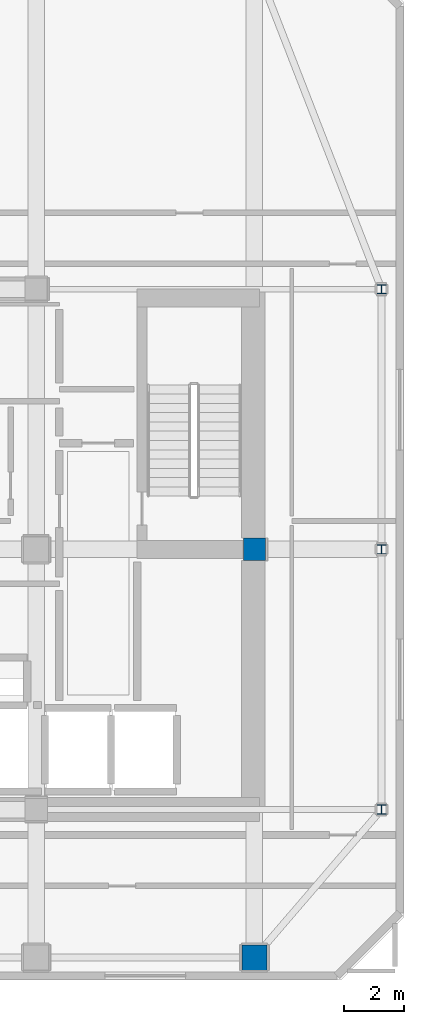
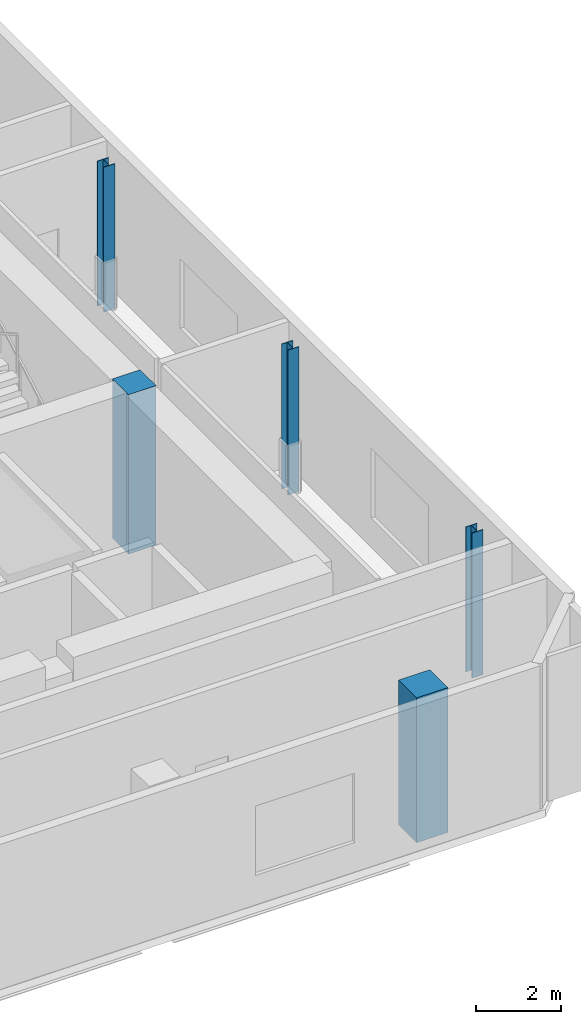
# One storey, part 2 of 9: 5 columns.
"""IFC4 building model written with IfcOpenShell, lengths in metres."""

from ifc_helpers import new_model, si_unit, direction, frame, origin, origin_2d, place, context, subcontext, project, spatial, rectangle, i_section, extrude, material, material_profile, profile_set, type_object, element, save


model = new_model("IFC4")

# Units and contexts
model_context = context("Model", 3, precision=1e-05, world=origin(), true_north=direction((0.0, 1.0)))
body_context = subcontext(model_context, "Body", "Model", "MODEL_VIEW")
ifc_project = project(units=[si_unit("LENGTHUNIT", "METRE"), si_unit("AREAUNIT", "SQUARE_METRE"), si_unit("VOLUMEUNIT", "CUBIC_METRE"), si_unit("PLANEANGLEUNIT", "RADIAN"), si_unit("MASSUNIT", "GRAM", prefix="KILO")], contexts=[model_context])

# Site, building, storey
site_placement = place(None, origin())
site = spatial("IfcSite", under=ifc_project, at=site_placement, CompositionType="ELEMENT")
building_placement = place(site_placement, origin())
building = spatial("IfcBuilding", under=site, at=building_placement, Name="Solanera Arch Residences", CompositionType="ELEMENT")
storey_placement = place(building_placement, frame((0.0, 0.0, 273.47998046875)))
storey = spatial("IfcBuildingStorey", under=building, at=storey_placement, Name="L79", CompositionType="ELEMENT", Elevation=273.47998046875)

# Columns
ifc_material_1 = material(Name="Concrete C40/50 (f'c = 45 MPa)", Category="concrete")
ifc_material_profile_1 = material_profile(ifc_material_1, rectangle(XDim=0.75, YDim=0.75, at=origin_2d()))
ifc_profile_set_1 = profile_set([ifc_material_profile_1], Name="Concrete C40/50 (f'c = 45 MPa)")
column_type_1 = type_object("IfcColumnType", Name="Structural Column RC-COL-750X750", PredefinedType="COLUMN", material=ifc_profile_set_1)
column_1_placement = place(storey_placement, frame((36.5, 30.699951171875, 0.0), z_axis=(0.0, 0.0, 1.0), x_axis=(1.0, 0.0, 0.0)))
element("IfcColumn", 1, at=column_1_placement, inside=storey, type_object=column_type_1, Name="COL-L79-CB-EE", PredefinedType="COLUMN", context=body_context, shape_type="SweptSolid", body=[
    extrude(rectangle(XDim=0.75, YDim=0.75, at=origin_2d()), origin(), (0.0, 0.0, 1.0), 4.60009765625),
])
ifc_material_2 = material(Name="Concrete C40/50 (f'c = 45 MPa)", Category="concrete")
ifc_material_profile_2 = material_profile(ifc_material_2, rectangle(XDim=0.85009765625, YDim=0.85009765625, at=origin_2d()))
ifc_profile_set_2 = profile_set([ifc_material_profile_2], Name="Concrete C40/50 (f'c = 45 MPa)")
column_type_2 = type_object("IfcColumnType", Name="Structural Column RC-COL-850X850", PredefinedType="COLUMN", material=ifc_profile_set_2)
column_2_placement = place(storey_placement, frame((36.5, 17.050048828125, 0.0), z_axis=(0.0, 0.0, 1.0), x_axis=(1.0, 0.0, 0.0)))
element("IfcColumn", 2, at=column_2_placement, inside=storey, type_object=column_type_2, Name="COL-L79-TWR-07", PredefinedType="COLUMN", context=body_context, shape_type="SweptSolid", body=[
    extrude(rectangle(XDim=0.85009765625, YDim=0.85009765625, at=origin_2d()), origin(), (0.0, 0.0, 1.0), 4.179931640625),
])
ifc_material_3 = material(Name="Steel S355 (ASTM A992 / A572 Grade 50)", Category="steel")
ifc_material_profile_3 = material_profile(ifc_material_3, i_section(OverallWidth=0.304931640625, OverallDepth=0.30810546875, WebThickness=0.010009765625, FlangeThickness=0.015380859375, at=origin_2d()))
ifc_profile_set_3 = profile_set([ifc_material_profile_3], Name="Steel S355 (ASTM A992 / A572 Grade 50)")
column_type_3 = type_object("IfcColumnType", Name="Structural Column W310X97", PredefinedType="COLUMN", material=ifc_profile_set_3)
for number, where, z_axis, x_axis, name in (
    (3, (40.75, 22.0, 0.0), (0.0, 0.0, 1.0), (1.0, 0.0, 0.0), "COL-L79-TWR-10"),
    (4, (40.75, 30.699951171875, 0.0), (0.0, 0.0, 1.0), (1.0, 0.0, 0.0), "COL-L79-TWR-12"),
    (5, (40.75, 39.39990234375, 0.0), (0.0, 0.0, 1.0), (1.0, 0.0, 0.0), "COL-L79-TWR-14"),
):
    element("IfcColumn", number, at=place(storey_placement, frame(where, z_axis=z_axis, x_axis=x_axis)), inside=storey, type_object=column_type_3, Name=name, PredefinedType="COLUMN", context=body_context, shape_type="SweptSolid", body=[
        extrude(i_section(OverallWidth=0.304931640625, OverallDepth=0.30810546875, WebThickness=0.010009765625, FlangeThickness=0.015380859375, at=origin_2d()), origin(), (0.0, 0.0, 1.0), 4.179931640625),
    ])

save(model, "model.ifc")
